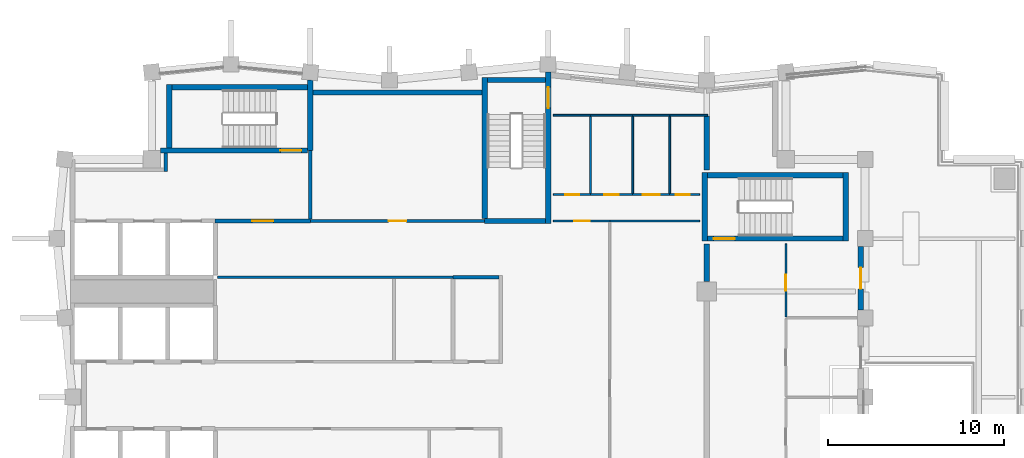
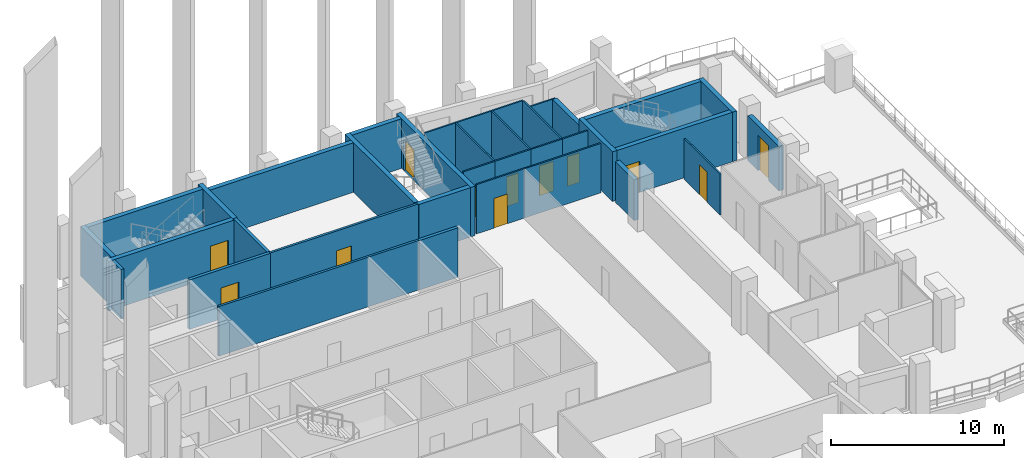
# One storey, part 7 of 11: 36 walls, 12 doors, 12 openings.
"""IFC4 building model written with IfcOpenShell, lengths in metres."""

from ifc_helpers import new_model, si_unit, direction, frame, frame_2d, origin, place, context, subcontext, project, spatial, rectangle, extrude, material, layer, layer_set, type_object, element, fill, save


model = new_model("IFC4")

# Units and contexts
model_context = context("Model", 3, precision=1e-05, world=origin(), true_north=direction((0.0, 1.0)))
body_context = subcontext(model_context, "Body", "Model", "MODEL_VIEW")
ifc_project = project(units=[si_unit("LENGTHUNIT", "METRE"), si_unit("AREAUNIT", "SQUARE_METRE"), si_unit("VOLUMEUNIT", "CUBIC_METRE"), si_unit("PLANEANGLEUNIT", "RADIAN"), si_unit("MASSUNIT", "GRAM", prefix="KILO")], contexts=[model_context])

# Site, building, storey
site_placement = place(None, origin())
site = spatial("IfcSite", under=ifc_project, at=site_placement, CompositionType="ELEMENT")
building_placement = place(site_placement, origin())
building = spatial("IfcBuilding", under=site, at=building_placement, Name="Brondeck Convention Tower", CompositionType="ELEMENT")
storey_placement = place(building_placement, frame((0.0, 0.0, 252.39990234375)))
storey = spatial("IfcBuildingStorey", under=building, at=storey_placement, Name="L62", CompositionType="ELEMENT", Elevation=252.39990234375)

# Walls
ifc_material_1 = material(Name="Concrete compartment wall C30/37", Category="concrete")
ifc_layer_1 = layer(ifc_material_1, 0.300048828125)
ifc_layer_set_1 = layer_set([ifc_layer_1], Name="Compartment wall 300")
wall_type_1 = type_object("IfcWallType", Name="Compartment wall 300", PredefinedType="PARTITIONING", material=ifc_layer_set_1)
wall_1_placement = place(storey_placement, frame((36.0, 51.554931640625, 0.0), z_axis=(0.0, 0.0, 1.0), x_axis=(0.0, 1.0, 0.0)))
element("IfcWall", 1, at=wall_1_placement, inside=storey, type_object=wall_type_1, Name="FLR-L62-W037", PredefinedType="PARTITIONING", context=body_context, shape_type="SweptSolid", body=[
    extrude(rectangle(XDim=2.14501953125, YDim=0.300048828125, at=frame_2d((1.072509765625, 0.0))), origin(), (0.0, 0.0, 1.0), 2.880126953125),
])
wall_2_placement = place(storey_placement, frame((36.0, 60.949951171875, 0.0), z_axis=(0.0, 0.0, 1.0), x_axis=(0.0, -1.0, 0.0)))
element("IfcWall", 2, at=wall_2_placement, inside=storey, type_object=wall_type_1, Name="FLR-L62-W049", PredefinedType="PARTITIONING", context=body_context, shape_type="SweptSolid", body=[
    extrude(rectangle(XDim=3.050048828125, YDim=0.300048828125, at=frame_2d((1.52490234375, 0.0))), origin(), (0.0, 0.0, 1.0), 2.880126953125),
])
ifc_material_2 = material(Name="Concrete C50/60", Category="concrete")
ifc_layer_2 = layer(ifc_material_2, 0.300048828125)
ifc_layer_set_2 = layer_set([ifc_layer_2], Name="Core outer wall 300 Concrete C50/60")
wall_type_2 = type_object("IfcWallType", Name="Core outer wall 300 Concrete C50/60", PredefinedType="SHEAR", material=ifc_layer_set_2)
wall_3_placement = place(storey_placement, frame((13.64990234375, 62.300048828125, 0.0), z_axis=(0.0, 0.0, 1.0), x_axis=(1.0, 0.0, 0.0)))
element("IfcWall", 3, at=wall_3_placement, inside=storey, type_object=wall_type_2, Name="L62 core wall", PredefinedType="SHEAR", context=body_context, shape_type="SweptSolid", body=[
    extrude(rectangle(XDim=9.60009765625, YDim=0.300048828125, at=frame_2d((4.800048828125, 0.0))), origin(), (0.0, 0.0, 1.0), 3.5),
])
ifc_material_3 = material(Name="Fire-rated gypsum board partition")
ifc_layer_3 = layer(ifc_material_3, 0.14990234375)
ifc_layer_set_3 = layer_set([ifc_layer_3], Name="Core partition 150 EI 60")
wall_type_3 = type_object("IfcWallType", Name="Core partition 150 EI 60", PredefinedType="PARTITIONING", material=ifc_layer_set_3)
wall_4_placement = place(storey_placement, frame((8.22509765625, 51.800048828125, 0.0), z_axis=(0.0, 0.0, 1.0), x_axis=(1.0, 0.0, 0.0)))
element("IfcWall", 4, at=wall_4_placement, inside=storey, type_object=wall_type_3, Name="L62 core wall", PredefinedType="PARTITIONING", context=body_context, shape_type="SweptSolid", body=[
    extrude(rectangle(XDim=13.375, YDim=0.14990234375, at=frame_2d((6.6875, 0.0))), origin(), (0.0, 0.0, 1.0), 3.5),
])

# Wall, opening, door
wall_5_placement = place(storey_placement, frame((13.5, 55.0, 0.0), z_axis=(0.0, 0.0, 1.0), x_axis=(1.0, 0.0, 0.0)))
wall_5 = element("IfcWall", 5, at=wall_5_placement, inside=storey, type_object=wall_type_3, Name="L62 core wall", PredefinedType="PARTITIONING", context=body_context, shape_type="SweptSolid", body=[
    extrude(rectangle(XDim=9.89990234375, YDim=0.14990234375, at=frame_2d((4.949951171875, 0.0))), origin(), (0.0, 0.0, 1.0), 3.5),
])
opening_1_placement = place(wall_5_placement, frame((4.449951171875, 0.0, 0.0)))
opening_1 = element("IfcOpeningElement", 6, at=opening_1_placement, cuts=wall_5, Name="Opening C34-12", PredefinedType="OPENING", context=body_context, shape_type="SweptSolid", body=[
    extrude(rectangle(XDim=1.0, YDim=2.10009765625, at=frame_2d((0.5, 1.050048828125))), frame((0.0, 0.0849609375, 0.0), z_axis=(0.0, -1.0, 0.0), x_axis=(1.0, 0.0, 0.0)), (0.0, 0.0, 1.0), 0.169921875),
])
ifc_material_4 = material(Name="Steel fire door", Category="steel")
door_type_1 = type_object("IfcDoorType", Name="Room door 1000x2100 EI 60", OperationType="NOTDEFINED", PredefinedType="DOOR", material=ifc_material_4)
door_1_placement = place(opening_1_placement, origin())
door_1 = element("IfcDoor", 7, at=door_1_placement, inside=storey, type_object=door_type_1, Name="L62 Room door NE-1", OperationType="SINGLE_SWING_LEFT", OverallHeight=2.10009765625, OverallWidth=1.0, PredefinedType="DOOR", context=body_context, shape_type="SweptSolid", body=[
    extrude(rectangle(XDim=1.0, YDim=2.10009765625, at=frame_2d((0.5, 1.050048828125))), frame((0.0, 0.02490234375, 0.0), z_axis=(0.0, -1.0, 0.0), x_axis=(1.0, 0.0, 0.0)), (0.0, 0.0, 1.0), 0.050048828125),
])
fill(opening_1, door_1)

ifc_material_5 = material(Name="Precast concrete C50/60 bronze finish", Category="concrete")
ifc_layer_4 = layer(ifc_material_5, 0.070068359375, Name="Bronze precast facing")
ifc_material_6 = material(Name="Mineral wool")
ifc_layer_5 = layer(ifc_material_6, 0.159912109375, Name="Insulation")
ifc_material_7 = material(Name="Concrete C35/45", Category="concrete")
ifc_layer_6 = layer(ifc_material_7, 0.070068359375, Name="Backing")
ifc_layer_set_4 = layer_set([ifc_layer_4, ifc_layer_5, ifc_layer_6], Name="External infill wall, precast concrete C50/60 bronze facing")
wall_type_4 = type_object("IfcWallType", Name="External infill wall, precast concrete C50/60 bronze facing", PredefinedType="SOLIDWALL", material=ifc_layer_set_4)
wall_6_placement = place(storey_placement, frame((44.75, 53.550048828125, 0.0), z_axis=(0.0, 0.0, 1.0), x_axis=(0.0, -1.0, 0.0)))
wall_6 = element("IfcWall", 8, at=wall_6_placement, inside=storey, type_object=wall_type_4, Name="ENV-TW-L62-P3-A-E45-05", PredefinedType="SOLIDWALL", context=body_context, shape_type="SweptSolid", body=[
    extrude(rectangle(XDim=3.60009765625, YDim=0.300048828125, at=frame_2d((1.800048828125, 0.0))), origin(), (0.0, 0.0, 1.0), 3.150146484375),
])
opening_2_placement = place(wall_6_placement, frame((1.199951171875, 0.0, 0.0)))
opening_2 = element("IfcOpeningElement", 9, at=opening_2_placement, cuts=wall_6, Name="Opening DB-L62-A-E45-05", PredefinedType="OPENING", context=body_context, shape_type="SweptSolid", body=[
    extrude(rectangle(XDim=1.199951171875, YDim=2.5, at=frame_2d((0.60009765625, 1.25))), frame((0.0, 0.159912109375, 0.0), z_axis=(0.0, -1.0, 0.0), x_axis=(1.0, 0.0, 0.0)), (0.0, 0.0, 1.0), 0.320068359375),
])
ifc_material_8 = material(Name="Aluminium, bronze anodised", Category="aluminium")
door_type_2 = type_object("IfcDoorType", Name="Terrace door, single leaf", OperationType="SINGLE_SWING_LEFT", PredefinedType="DOOR", material=ifc_material_8)
door_2_placement = place(opening_2_placement, origin())
door_2 = element("IfcDoor", 10, at=door_2_placement, inside=storey, type_object=door_type_2, Name="ENV-D-DB-L62-A-E45-05", OperationType="SINGLE_SWING_RIGHT", OverallHeight=2.5, OverallWidth=1.199951171875, PredefinedType="DOOR", context=body_context, shape_type="SweptSolid", body=[
    extrude(rectangle(XDim=1.199951171875, YDim=2.5, at=frame_2d((0.60009765625, 1.25))), frame((0.0, 0.02490234375, 0.0), z_axis=(0.0, -1.0, 0.0), x_axis=(1.0, 0.0, 0.0)), (0.0, 0.0, 1.0), 0.050048828125),
])
fill(opening_2, door_2)

ifc_layer_7 = layer(ifc_material_3, 0.199951171875)
ifc_layer_set_5 = layer_set([ifc_layer_7], Name="Firefighting lobby wall 200 EI 120")
wall_type_5 = type_object("IfcWallType", Name="Firefighting lobby wall 200 EI 120", PredefinedType="PARTITIONING", material=ifc_layer_set_5)
wall_7_placement = place(storey_placement, frame((8.10009765625, 55.0, 0.0), z_axis=(0.0, 0.0, 1.0), x_axis=(1.0, 0.0, 0.0)))
wall_7 = element("IfcWall", 11, at=wall_7_placement, inside=storey, type_object=wall_type_5, Name="L62 core wall", PredefinedType="PARTITIONING", context=body_context, shape_type="SweptSolid", body=[
    extrude(rectangle(XDim=5.39990234375, YDim=0.199951171875, at=frame_2d((2.699951171875, 0.0))), origin(), (0.0, 0.0, 1.0), 3.5),
])
opening_3_placement = place(wall_7_placement, frame((2.10009765625, 0.0, 0.0)))
opening_3 = element("IfcOpeningElement", 12, at=opening_3_placement, cuts=wall_7, Name="Opening C34-01", PredefinedType="OPENING", context=body_context, shape_type="SweptSolid", body=[
    extrude(rectangle(XDim=1.199951171875, YDim=2.199951171875, at=frame_2d((0.60009765625, 1.10009765625))), frame((0.0, 0.10986328125, 0.0), z_axis=(0.0, -1.0, 0.0), x_axis=(1.0, 0.0, 0.0)), (0.0, 0.0, 1.0), 0.219970703125),
])
door_type_3 = type_object("IfcDoorType", Name="Firefighting lobby door 1200x2200 EI 120", OperationType="NOTDEFINED", PredefinedType="DOOR", material=ifc_material_4)
door_3_placement = place(opening_3_placement, origin())
door_3 = element("IfcDoor", 13, at=door_3_placement, inside=storey, type_object=door_type_3, Name="L62 Firefighting lobby door FFL-1", OperationType="SINGLE_SWING_RIGHT", OverallHeight=2.199951171875, OverallWidth=1.199951171875, PredefinedType="DOOR", context=body_context, shape_type="SweptSolid", body=[
    extrude(rectangle(XDim=1.199951171875, YDim=2.199951171875, at=frame_2d((0.60009765625, 1.10009765625))), frame((0.0, 0.02490234375, 0.0), z_axis=(0.0, -1.0, 0.0), x_axis=(1.0, 0.0, 0.0)), (0.0, 0.0, 1.0), 0.050048828125),
])
fill(opening_3, door_3)

# Walls
wall_8_placement = place(storey_placement, frame((5.300048828125, 57.800048828125, 0.0), z_axis=(0.0, 0.0, 1.0), x_axis=(0.0, 1.0, 0.0)))
element("IfcWall", 14, at=wall_8_placement, inside=storey, type_object=wall_type_5, Name="L62 core wall", PredefinedType="PARTITIONING", context=body_context, shape_type="SweptSolid", body=[
    extrude(rectangle(XDim=1.050048828125, YDim=0.199951171875, at=frame_2d((0.52490234375, 0.0))), origin(), (0.0, 0.0, 1.0), 3.5),
])
wall_9_placement = place(storey_placement, frame((13.5, 55.10009765625, 0.0), z_axis=(0.0, 0.0, 1.0), x_axis=(0.0, 1.0, 0.0)))
element("IfcWall", 15, at=wall_9_placement, inside=storey, type_object=wall_type_5, Name="L62 core wall", PredefinedType="PARTITIONING", context=body_context, shape_type="SweptSolid", body=[
    extrude(rectangle(XDim=3.89990234375, YDim=0.199951171875, at=frame_2d((1.949951171875, 0.0))), origin(), (0.0, 0.0, 1.0), 3.5),
])
ifc_layer_8 = layer(ifc_material_3, 0.199951171875)
ifc_layer_set_6 = layer_set([ifc_layer_8], Name="Riser wall 200 EI 120")
wall_type_6 = type_object("IfcWallType", Name="Riser wall 200 EI 120", PredefinedType="PARTITIONING", material=ifc_layer_set_6)
wall_10_placement = place(storey_placement, frame((21.60009765625, 51.800048828125, 0.0), z_axis=(0.0, 0.0, 1.0), x_axis=(1.0, 0.0, 0.0)))
element("IfcWall", 16, at=wall_10_placement, inside=storey, type_object=wall_type_6, Name="L62 core wall", PredefinedType="PARTITIONING", context=body_context, shape_type="SweptSolid", body=[
    extrude(rectangle(XDim=2.599853515625, YDim=0.199951171875, at=frame_2d((1.2998046875, 0.0))), origin(), (0.0, 0.0, 1.0), 3.5),
])

# Wall, opening, door
ifc_material_9 = material(Name="Gypsum board partition on steel studs", Category="steel")
ifc_layer_9 = layer(ifc_material_9, 0.10009765625)
ifc_layer_set_7 = layer_set([ifc_layer_9], Name="Room partition 100")
wall_type_7 = type_object("IfcWallType", Name="Room partition 100", PredefinedType="PARTITIONING", material=ifc_layer_set_7)
wall_11_placement = place(storey_placement, frame((40.5, 53.699951171875, 0.0), z_axis=(0.0, 0.0, 1.0), x_axis=(0.0, -1.0, 0.0)))
wall_11 = element("IfcWall", 17, at=wall_11_placement, inside=storey, type_object=wall_type_7, Name="FLR-L62-W038", PredefinedType="PARTITIONING", context=body_context, shape_type="SweptSolid", body=[
    extrude(rectangle(XDim=4.14990234375, YDim=0.10009765625, at=frame_2d((2.074951171875, 0.0))), origin(), (0.0, 0.0, 1.0), 2.880126953125),
])
opening_4_placement = place(wall_11_placement, frame((1.75, 0.0, 0.0)))
opening_4 = element("IfcOpeningElement", 18, at=opening_4_placement, cuts=wall_11, Name="Opening EX-A-004", PredefinedType="OPENING", context=body_context, shape_type="SweptSolid", body=[
    extrude(rectangle(XDim=0.89990234375, YDim=2.10009765625, at=frame_2d((0.449951171875, 1.050048828125))), frame((0.0, 0.06005859375, 0.0), z_axis=(0.0, -1.0, 0.0), x_axis=(1.0, 0.0, 0.0)), (0.0, 0.0, 1.0), 0.1201171875),
])
ifc_material_10 = material(Name="Solid timber door leaf", Category="wood")
door_type_4 = type_object("IfcDoorType", Name="Single door 900", OperationType="NOTDEFINED", PredefinedType="DOOR", material=ifc_material_10)
door_4_placement = place(opening_4_placement, origin())
door_4 = element("IfcDoor", 19, at=door_4_placement, inside=storey, type_object=door_type_4, Name="Door EX-A-004", OperationType="SINGLE_SWING_LEFT", OverallHeight=2.10009765625, OverallWidth=0.89990234375, PredefinedType="DOOR", context=body_context, shape_type="SweptSolid", body=[
    extrude(rectangle(XDim=0.89990234375, YDim=2.10009765625, at=frame_2d((0.449951171875, 1.050048828125))), frame((0.0, 0.02490234375, 0.0), z_axis=(0.0, -1.0, 0.0), x_axis=(1.0, 0.0, 0.0)), (0.0, 0.0, 1.0), 0.050048828125),
])
fill(opening_4, door_4)

wall_12_placement = place(storey_placement, frame((27.300048828125, 55.0, 0.0), z_axis=(0.0, 0.0, 1.0), x_axis=(1.0, 0.0, 0.0)))
wall_12 = element("IfcWall", 20, at=wall_12_placement, inside=storey, type_object=wall_type_7, Name="FLR-L62-W040", PredefinedType="PARTITIONING", context=body_context, shape_type="SweptSolid", body=[
    extrude(rectangle(XDim=3.199951171875, YDim=0.10009765625, at=frame_2d((1.60009765625, 0.0))), origin(), (0.0, 0.0, 1.0), 3.47998046875),
])
opening_5_placement = place(wall_12_placement, frame((1.175048828125, 0.0, 0.0)))
opening_5 = element("IfcOpeningElement", 21, at=opening_5_placement, cuts=wall_12, Name="Opening EX-A-010", PredefinedType="OPENING", context=body_context, shape_type="SweptSolid", body=[
    extrude(rectangle(XDim=0.89990234375, YDim=2.10009765625, at=frame_2d((0.449951171875, 1.050048828125))), frame((0.0, 0.06005859375, 0.0), z_axis=(0.0, -1.0, 0.0), x_axis=(1.0, 0.0, 0.0)), (0.0, 0.0, 1.0), 0.1201171875),
])
door_5_placement = place(opening_5_placement, origin())
door_5 = element("IfcDoor", 22, at=door_5_placement, inside=storey, type_object=door_type_4, Name="Door EX-A-010", OperationType="SINGLE_SWING_RIGHT", OverallHeight=2.10009765625, OverallWidth=0.89990234375, PredefinedType="DOOR", context=body_context, shape_type="SweptSolid", body=[
    extrude(rectangle(XDim=0.89990234375, YDim=2.10009765625, at=frame_2d((0.449951171875, 1.050048828125))), frame((0.0, 0.02490234375, 0.0), z_axis=(0.0, -1.0, 0.0), x_axis=(1.0, 0.0, 0.0)), (0.0, 0.0, 1.0), 0.050048828125),
])
fill(opening_5, door_5)

# Wall
wall_13_placement = place(storey_placement, frame((35.60009765625, 55.0, 0.0), z_axis=(0.0, 0.0, 1.0), x_axis=(-1.0, 0.0, 0.0)))
element("IfcWall", 23, at=wall_13_placement, inside=storey, type_object=wall_type_7, Name="FLR-L62-W041", PredefinedType="PARTITIONING", context=body_context, shape_type="SweptSolid", body=[
    extrude(rectangle(XDim=5.10009765625, YDim=0.10009765625, at=frame_2d((2.550048828125, 0.0))), origin(), (0.0, 0.0, 1.0), 3.47998046875),
])

# Wall, opening, door
wall_14_placement = place(storey_placement, frame((27.300048828125, 56.5, 0.0), z_axis=(0.0, 0.0, 1.0), x_axis=(1.0, 0.0, 0.0)))
wall_14 = element("IfcWall", 24, at=wall_14_placement, inside=storey, type_object=wall_type_7, Name="FLR-L62-W042", PredefinedType="PARTITIONING", context=body_context, shape_type="SweptSolid", body=[
    extrude(rectangle(XDim=2.099853515625, YDim=0.10009765625, at=frame_2d((1.0498046875, 0.0))), origin(), (0.0, 0.0, 1.0), 3.47998046875),
])
opening_6_placement = place(wall_14_placement, frame((0.675048828125, 0.0, 0.0)))
opening_6 = element("IfcOpeningElement", 25, at=opening_6_placement, cuts=wall_14, Name="Opening EX-A-011", PredefinedType="OPENING", context=body_context, shape_type="SweptSolid", body=[
    extrude(rectangle(XDim=0.800048828125, YDim=2.10009765625, at=frame_2d((0.39990234375, 1.050048828125))), frame((0.0, 0.06005859375, 0.0), z_axis=(0.0, -1.0, 0.0), x_axis=(1.0, 0.0, 0.0)), (0.0, 0.0, 1.0), 0.1201171875),
])
door_type_5 = type_object("IfcDoorType", Name="En-suite door 800", OperationType="NOTDEFINED", PredefinedType="DOOR", material=ifc_material_10)
door_6_placement = place(opening_6_placement, origin())
door_6 = element("IfcDoor", 26, at=door_6_placement, inside=storey, type_object=door_type_5, Name="Door EX-A-011", OperationType="SINGLE_SWING_LEFT", OverallHeight=2.10009765625, OverallWidth=0.800048828125, PredefinedType="DOOR", context=body_context, shape_type="SweptSolid", body=[
    extrude(rectangle(XDim=0.800048828125, YDim=2.10009765625, at=frame_2d((0.39990234375, 1.050048828125))), frame((0.0, 0.02490234375, 0.0), z_axis=(0.0, -1.0, 0.0), x_axis=(1.0, 0.0, 0.0)), (0.0, 0.0, 1.0), 0.050048828125),
])
fill(opening_6, door_6)

wall_15_placement = place(storey_placement, frame((29.39990234375, 56.5, 0.0), z_axis=(0.0, 0.0, 1.0), x_axis=(1.0, 0.0, 0.0)))
wall_15 = element("IfcWall", 27, at=wall_15_placement, inside=storey, type_object=wall_type_7, Name="FLR-L62-W043", PredefinedType="PARTITIONING", context=body_context, shape_type="SweptSolid", body=[
    extrude(rectangle(XDim=2.400146484375, YDim=0.10009765625, at=frame_2d((1.2001953125, 0.0))), origin(), (0.0, 0.0, 1.0), 3.47998046875),
])
opening_7_placement = place(wall_15_placement, frame((0.800048828125, 0.0, 0.0)))
opening_7 = element("IfcOpeningElement", 28, at=opening_7_placement, cuts=wall_15, Name="Opening EX-A-012", PredefinedType="OPENING", context=body_context, shape_type="SweptSolid", body=[
    extrude(rectangle(XDim=0.800048828125, YDim=2.10009765625, at=frame_2d((0.39990234375, 1.050048828125))), frame((0.0, 0.06005859375, 0.0), z_axis=(0.0, -1.0, 0.0), x_axis=(1.0, 0.0, 0.0)), (0.0, 0.0, 1.0), 0.1201171875),
])
door_7_placement = place(opening_7_placement, origin())
door_7 = element("IfcDoor", 29, at=door_7_placement, inside=storey, type_object=door_type_5, Name="Door EX-A-012", OperationType="SINGLE_SWING_RIGHT", OverallHeight=2.10009765625, OverallWidth=0.800048828125, PredefinedType="DOOR", context=body_context, shape_type="SweptSolid", body=[
    extrude(rectangle(XDim=0.800048828125, YDim=2.10009765625, at=frame_2d((0.39990234375, 1.050048828125))), frame((0.0, 0.02490234375, 0.0), z_axis=(0.0, -1.0, 0.0), x_axis=(1.0, 0.0, 0.0)), (0.0, 0.0, 1.0), 0.050048828125),
])
fill(opening_7, door_7)

wall_16_placement = place(storey_placement, frame((31.800048828125, 56.5, 0.0), z_axis=(0.0, 0.0, 1.0), x_axis=(1.0, 0.0, 0.0)))
wall_16 = element("IfcWall", 30, at=wall_16_placement, inside=storey, type_object=wall_type_7, Name="FLR-L62-W044", PredefinedType="PARTITIONING", context=body_context, shape_type="SweptSolid", body=[
    extrude(rectangle(XDim=2.099853515625, YDim=0.10009765625, at=frame_2d((1.0498046875, 0.0))), origin(), (0.0, 0.0, 1.0), 3.47998046875),
])
opening_8_placement = place(wall_16_placement, frame((0.574951171875, 0.0, 0.0)))
opening_8 = element("IfcOpeningElement", 31, at=opening_8_placement, cuts=wall_16, Name="Opening EX-A-013", PredefinedType="OPENING", context=body_context, shape_type="SweptSolid", body=[
    extrude(rectangle(XDim=0.949951171875, YDim=2.10009765625, at=frame_2d((0.47509765625, 1.050048828125))), frame((0.0, 0.06005859375, 0.0), z_axis=(0.0, -1.0, 0.0), x_axis=(1.0, 0.0, 0.0)), (0.0, 0.0, 1.0), 0.1201171875),
])
door_type_6 = type_object("IfcDoorType", Name="Accessible door 950", OperationType="NOTDEFINED", PredefinedType="DOOR", material=ifc_material_10)
door_8_placement = place(opening_8_placement, origin())
door_8 = element("IfcDoor", 32, at=door_8_placement, inside=storey, type_object=door_type_6, Name="Door EX-A-013", OperationType="SINGLE_SWING_LEFT", OverallHeight=2.10009765625, OverallWidth=0.949951171875, PredefinedType="DOOR", context=body_context, shape_type="SweptSolid", body=[
    extrude(rectangle(XDim=0.949951171875, YDim=2.10009765625, at=frame_2d((0.47509765625, 1.050048828125))), frame((0.0, 0.02490234375, 0.0), z_axis=(0.0, -1.0, 0.0), x_axis=(1.0, 0.0, 0.0)), (0.0, 0.0, 1.0), 0.050048828125),
])
fill(opening_8, door_8)

wall_17_placement = place(storey_placement, frame((33.89990234375, 56.5, 0.0), z_axis=(0.0, 0.0, 1.0), x_axis=(1.0, 0.0, 0.0)))
wall_17 = element("IfcWall", 33, at=wall_17_placement, inside=storey, type_object=wall_type_7, Name="FLR-L62-W045", PredefinedType="PARTITIONING", context=body_context, shape_type="SweptSolid", body=[
    extrude(rectangle(XDim=1.7001953125, YDim=0.10009765625, at=frame_2d((0.85009765625, 0.0))), origin(), (0.0, 0.0, 1.0), 3.47998046875),
])
opening_9_placement = place(wall_17_placement, frame((0.35009765625, 0.0, 0.0)))
opening_9 = element("IfcOpeningElement", 34, at=opening_9_placement, cuts=wall_17, Name="Opening EX-A-014", PredefinedType="OPENING", context=body_context, shape_type="SweptSolid", body=[
    extrude(rectangle(XDim=0.800048828125, YDim=2.10009765625, at=frame_2d((0.39990234375, 1.050048828125))), frame((0.0, 0.06005859375, 0.0), z_axis=(0.0, -1.0, 0.0), x_axis=(1.0, 0.0, 0.0)), (0.0, 0.0, 1.0), 0.1201171875),
])
ifc_material_11 = material(Name="Steel service door leaf", Category="steel")
door_type_7 = type_object("IfcDoorType", Name="Service door 800", OperationType="NOTDEFINED", PredefinedType="DOOR", material=ifc_material_11)
door_9_placement = place(opening_9_placement, origin())
door_9 = element("IfcDoor", 35, at=door_9_placement, inside=storey, type_object=door_type_7, Name="Door EX-A-014", OperationType="SINGLE_SWING_LEFT", OverallHeight=2.10009765625, OverallWidth=0.800048828125, PredefinedType="DOOR", context=body_context, shape_type="SweptSolid", body=[
    extrude(rectangle(XDim=0.800048828125, YDim=2.10009765625, at=frame_2d((0.39990234375, 1.050048828125))), frame((0.0, 0.02490234375, 0.0), z_axis=(0.0, -1.0, 0.0), x_axis=(1.0, 0.0, 0.0)), (0.0, 0.0, 1.0), 0.050048828125),
])
fill(opening_9, door_9)

# Walls
for number, where, z_axis, x_axis, name in (
    (36, (29.39990234375, 60.949951171875, 0.0), (0.0, 0.0, 1.0), (0.0, -1.0, 0.0), "FLR-L62-W046"),
    (37, (31.800048828125, 60.949951171875, 0.0), (0.0, 0.0, 1.0), (0.0, -1.0, 0.0), "FLR-L62-W047"),
    (38, (33.89990234375, 60.949951171875, 0.0), (0.0, 0.0, 1.0), (0.0, -1.0, 0.0), "FLR-L62-W048"),
):
    element("IfcWall", number, at=place(storey_placement, frame(where, z_axis=z_axis, x_axis=x_axis)), inside=storey, type_object=wall_type_7, Name=name, PredefinedType="PARTITIONING", context=body_context, shape_type="SweptSolid", body=[
        extrude(rectangle(XDim=4.39990234375, YDim=0.10009765625, at=frame_2d((2.199951171875, 0.0))), origin(), (0.0, 0.0, 1.0), 3.47998046875),
    ])
wall_18_placement = place(storey_placement, frame((27.300048828125, 61.0, 0.0), z_axis=(0.0, 0.0, 1.0), x_axis=(1.0, 0.0, 0.0)))
element("IfcWall", 39, at=wall_18_placement, inside=storey, type_object=wall_type_7, Name="FLR-L62-W050", PredefinedType="PARTITIONING", context=body_context, shape_type="SweptSolid", body=[
    extrude(rectangle(XDim=2.099853515625, YDim=0.10009765625, at=frame_2d((1.0498046875, 0.0))), origin(), (0.0, 0.0, 1.0), 3.47998046875),
])
wall_19_placement = place(storey_placement, frame((29.39990234375, 61.0, 0.0), z_axis=(0.0, 0.0, 1.0), x_axis=(1.0, 0.0, 0.0)))
element("IfcWall", 40, at=wall_19_placement, inside=storey, type_object=wall_type_7, Name="FLR-L62-W051", PredefinedType="PARTITIONING", context=body_context, shape_type="SweptSolid", body=[
    extrude(rectangle(XDim=2.400146484375, YDim=0.10009765625, at=frame_2d((1.2001953125, 0.0))), origin(), (0.0, 0.0, 1.0), 3.47998046875),
])
wall_20_placement = place(storey_placement, frame((31.800048828125, 61.0, 0.0), z_axis=(0.0, 0.0, 1.0), x_axis=(1.0, 0.0, 0.0)))
element("IfcWall", 41, at=wall_20_placement, inside=storey, type_object=wall_type_7, Name="FLR-L62-W052", PredefinedType="PARTITIONING", context=body_context, shape_type="SweptSolid", body=[
    extrude(rectangle(XDim=2.099853515625, YDim=0.10009765625, at=frame_2d((1.0498046875, 0.0))), origin(), (0.0, 0.0, 1.0), 3.47998046875),
])
wall_21_placement = place(storey_placement, frame((33.89990234375, 61.0, 0.0), z_axis=(0.0, 0.0, 1.0), x_axis=(1.0, 0.0, 0.0)))
element("IfcWall", 42, at=wall_21_placement, inside=storey, type_object=wall_type_7, Name="FLR-L62-W053", PredefinedType="PARTITIONING", context=body_context, shape_type="SweptSolid", body=[
    extrude(rectangle(XDim=2.150146484375, YDim=0.10009765625, at=frame_2d((1.0751953125, 0.0))), origin(), (0.0, 0.0, 1.0), 2.880126953125),
])

# Wall, opening, door
ifc_layer_10 = layer(ifc_material_2, 0.300048828125)
ifc_layer_set_8 = layer_set([ifc_layer_10], Name="Stair enclosure wall 300 Concrete C50/60")
wall_type_8 = type_object("IfcWallType", Name="Stair enclosure wall 300 Concrete C50/60", PredefinedType="SHEAR", material=ifc_layer_set_8)
wall_22_placement = place(storey_placement, frame((36.050048828125, 54.0, 0.0), z_axis=(0.0, 0.0, 1.0), x_axis=(1.0, 0.0, 0.0)))
wall_22 = element("IfcWall", 43, at=wall_22_placement, inside=storey, type_object=wall_type_8, Name="L62 core wall", PredefinedType="SHEAR", context=body_context, shape_type="SweptSolid", body=[
    extrude(rectangle(XDim=7.699951171875, YDim=0.300048828125, at=frame_2d((3.85009765625, 0.0))), origin(), (0.0, 0.0, 1.0), 3.5),
])
opening_10_placement = place(wall_22_placement, frame((0.35009765625, 0.0, 0.0)))
opening_10 = element("IfcOpeningElement", 44, at=opening_10_placement, cuts=wall_22, Name="Opening C34-16", PredefinedType="OPENING", context=body_context, shape_type="SweptSolid", body=[
    extrude(rectangle(XDim=1.199951171875, YDim=2.199951171875, at=frame_2d((0.60009765625, 1.10009765625))), frame((0.0, 0.159912109375, 0.0), z_axis=(0.0, -1.0, 0.0), x_axis=(1.0, 0.0, 0.0)), (0.0, 0.0, 1.0), 0.320068359375),
])
door_type_8 = type_object("IfcDoorType", Name="Stair door 1200x2200 EI 90", OperationType="NOTDEFINED", PredefinedType="DOOR", material=ifc_material_4)
door_10_placement = place(opening_10_placement, origin())
door_10 = element("IfcDoor", 45, at=door_10_placement, inside=storey, type_object=door_type_8, Name="L62 Stair door ST-AE", OperationType="SINGLE_SWING_LEFT", OverallHeight=2.199951171875, OverallWidth=1.199951171875, PredefinedType="DOOR", context=body_context, shape_type="SweptSolid", body=[
    extrude(rectangle(XDim=1.199951171875, YDim=2.199951171875, at=frame_2d((0.60009765625, 1.10009765625))), frame((0.0, 0.02490234375, 0.0), z_axis=(0.0, -1.0, 0.0), x_axis=(1.0, 0.0, 0.0)), (0.0, 0.0, 1.0), 0.050048828125),
])
fill(opening_10, door_10)

# Walls
wall_23_placement = place(storey_placement, frame((23.39990234375, 55.0, 0.0), z_axis=(0.0, 0.0, 1.0), x_axis=(1.0, 0.0, 0.0)))
element("IfcWall", 46, at=wall_23_placement, inside=storey, type_object=wall_type_8, Name="L62 core wall", PredefinedType="SHEAR", context=body_context, shape_type="SweptSolid", body=[
    extrude(rectangle(XDim=3.4501953125, YDim=0.300048828125, at=frame_2d((1.72509765625, 0.0))), origin(), (0.0, 0.0, 1.0), 3.5),
])
wall_24_placement = place(storey_placement, frame((36.050048828125, 57.60009765625, 0.0), z_axis=(0.0, 0.0, 1.0), x_axis=(1.0, 0.0, 0.0)))
element("IfcWall", 47, at=wall_24_placement, inside=storey, type_object=wall_type_8, Name="L62 core wall", PredefinedType="SHEAR", context=body_context, shape_type="SweptSolid", body=[
    extrude(rectangle(XDim=7.699951171875, YDim=0.300048828125, at=frame_2d((3.85009765625, 0.0))), origin(), (0.0, 0.0, 1.0), 3.5),
])

# Wall, opening, door
wall_25_placement = place(storey_placement, frame((5.0, 59.0, 0.0), z_axis=(0.0, 0.0, 1.0), x_axis=(1.0, 0.0, 0.0)))
wall_25 = element("IfcWall", 48, at=wall_25_placement, inside=storey, type_object=wall_type_8, Name="L62 core wall", PredefinedType="SHEAR", context=body_context, shape_type="SweptSolid", body=[
    extrude(rectangle(XDim=8.35009765625, YDim=0.300048828125, at=frame_2d((4.175048828125, 0.0))), origin(), (0.0, 0.0, 1.0), 3.5),
])
opening_11_placement = place(wall_25_placement, frame((6.800048828125, 0.0, 0.0)))
opening_11 = element("IfcOpeningElement", 49, at=opening_11_placement, cuts=wall_25, Name="Opening C34-15", PredefinedType="OPENING", context=body_context, shape_type="SweptSolid", body=[
    extrude(rectangle(XDim=1.199951171875, YDim=2.199951171875, at=frame_2d((0.60009765625, 1.10009765625))), frame((0.0, 0.159912109375, 0.0), z_axis=(0.0, -1.0, 0.0), x_axis=(1.0, 0.0, 0.0)), (0.0, 0.0, 1.0), 0.320068359375),
])
door_type_9 = type_object("IfcDoorType", Name="Stair door 1200x2200 EI 120", OperationType="NOTDEFINED", PredefinedType="DOOR", material=ifc_material_4)
door_11_placement = place(opening_11_placement, origin())
door_11 = element("IfcDoor", 50, at=door_11_placement, inside=storey, type_object=door_type_9, Name="L62 Stair door ST-3", OperationType="SINGLE_SWING_RIGHT", OverallHeight=2.199951171875, OverallWidth=1.199951171875, PredefinedType="DOOR", context=body_context, shape_type="SweptSolid", body=[
    extrude(rectangle(XDim=1.199951171875, YDim=2.199951171875, at=frame_2d((0.60009765625, 1.10009765625))), frame((0.0, 0.02490234375, 0.0), z_axis=(0.0, -1.0, 0.0), x_axis=(1.0, 0.0, 0.0)), (0.0, 0.0, 1.0), 0.050048828125),
])
fill(opening_11, door_11)

# Walls
wall_26_placement = place(storey_placement, frame((5.64990234375, 62.60009765625, 0.0), z_axis=(0.0, 0.0, 1.0), x_axis=(1.0, 0.0, 0.0)))
element("IfcWall", 51, at=wall_26_placement, inside=storey, type_object=wall_type_8, Name="L62 core wall", PredefinedType="SHEAR", context=body_context, shape_type="SweptSolid", body=[
    extrude(rectangle(XDim=7.7001953125, YDim=0.300048828125, at=frame_2d((3.85009765625, 0.0))), origin(), (0.0, 0.0, 1.0), 3.5),
])
wall_27_placement = place(storey_placement, frame((23.550048828125, 63.0, 0.0), z_axis=(0.0, 0.0, 1.0), x_axis=(1.0, 0.0, 0.0)))
element("IfcWall", 52, at=wall_27_placement, inside=storey, type_object=wall_type_8, Name="L62 core wall", PredefinedType="SHEAR", context=body_context, shape_type="SweptSolid", body=[
    extrude(rectangle(XDim=3.300048828125, YDim=0.300048828125, at=frame_2d((1.64990234375, 0.0))), origin(), (0.0, 0.0, 1.0), 3.5),
])
wall_28_placement = place(storey_placement, frame((5.5, 59.14990234375, 0.0), z_axis=(0.0, 0.0, 1.0), x_axis=(0.0, 1.0, 0.0)))
element("IfcWall", 53, at=wall_28_placement, inside=storey, type_object=wall_type_8, Name="L62 core wall", PredefinedType="SHEAR", context=body_context, shape_type="SweptSolid", body=[
    extrude(rectangle(XDim=3.60009765625, YDim=0.300048828125, at=frame_2d((1.800048828125, 0.0))), origin(), (0.0, 0.0, 1.0), 3.5),
])
wall_29_placement = place(storey_placement, frame((13.5, 59.0, 0.0), z_axis=(0.0, 0.0, 1.0), x_axis=(0.0, 1.0, 0.0)))
element("IfcWall", 54, at=wall_29_placement, inside=storey, type_object=wall_type_8, Name="L62 core wall", PredefinedType="SHEAR", context=body_context, shape_type="SweptSolid", body=[
    extrude(rectangle(XDim=3.997802734375, YDim=0.300048828125, at=frame_2d((1.9990234375, 0.0))), origin(), (0.0, 0.0, 1.0), 3.5),
])
wall_30_placement = place(storey_placement, frame((23.39990234375, 55.14990234375, 0.0), z_axis=(0.0, 0.0, 1.0), x_axis=(0.0, 1.0, 0.0)))
element("IfcWall", 55, at=wall_30_placement, inside=storey, type_object=wall_type_8, Name="L62 core wall", PredefinedType="SHEAR", context=body_context, shape_type="SweptSolid", body=[
    extrude(rectangle(XDim=8.0, YDim=0.300048828125, at=frame_2d((4.0, 0.0))), origin(), (0.0, 0.0, 1.0), 3.5),
])

# Wall, opening, door
wall_31_placement = place(storey_placement, frame((27.0, 54.85009765625, 0.0), z_axis=(0.0, 0.0, 1.0), x_axis=(0.0, 1.0, 0.0)))
wall_31 = element("IfcWall", 56, at=wall_31_placement, inside=storey, type_object=wall_type_8, Name="L62 core wall", PredefinedType="SHEAR", context=body_context, shape_type="SweptSolid", body=[
    extrude(rectangle(XDim=8.599853515625, YDim=0.300048828125, at=frame_2d((4.2998046875, 0.0))), origin(), (0.0, 0.0, 1.0), 3.5),
])
opening_12_placement = place(wall_31_placement, frame((6.550048828125, 0.0, 0.0)))
opening_12 = element("IfcOpeningElement", 57, at=opening_12_placement, cuts=wall_31, Name="Opening C34-14", PredefinedType="OPENING", context=body_context, shape_type="SweptSolid", body=[
    extrude(rectangle(XDim=1.199951171875, YDim=2.199951171875, at=frame_2d((0.60009765625, 1.10009765625))), frame((0.0, 0.159912109375, 0.0), z_axis=(0.0, -1.0, 0.0), x_axis=(1.0, 0.0, 0.0)), (0.0, 0.0, 1.0), 0.320068359375),
])
door_12_placement = place(opening_12_placement, origin())
door_12 = element("IfcDoor", 58, at=door_12_placement, inside=storey, type_object=door_type_8, Name="L62 Stair door ST-2", OperationType="SINGLE_SWING_LEFT", OverallHeight=2.199951171875, OverallWidth=1.199951171875, PredefinedType="DOOR", context=body_context, shape_type="SweptSolid", body=[
    extrude(rectangle(XDim=1.199951171875, YDim=2.199951171875, at=frame_2d((0.60009765625, 1.10009765625))), frame((0.0, 0.02490234375, 0.0), z_axis=(0.0, -1.0, 0.0), x_axis=(1.0, 0.0, 0.0)), (0.0, 0.0, 1.0), 0.050048828125),
])
fill(opening_12, door_12)

# Walls
for number, where, z_axis, x_axis, name in (
    (59, (35.89990234375, 53.85009765625, 0.0), (0.0, 0.0, 1.0), (0.0, 1.0, 0.0), "L62 core wall"),
    (60, (43.89990234375, 53.85009765625, 0.0), (0.0, 0.0, 1.0), (0.0, 1.0, 0.0), "L62 core wall"),
):
    element("IfcWall", number, at=place(storey_placement, frame(where, z_axis=z_axis, x_axis=x_axis)), inside=storey, type_object=wall_type_8, Name=name, PredefinedType="SHEAR", context=body_context, shape_type="SweptSolid", body=[
        extrude(rectangle(XDim=3.89990234375, YDim=0.300048828125, at=frame_2d((1.949951171875, 0.0))), origin(), (0.0, 0.0, 1.0), 3.5),
    ])

save(model, "model.ifc")
